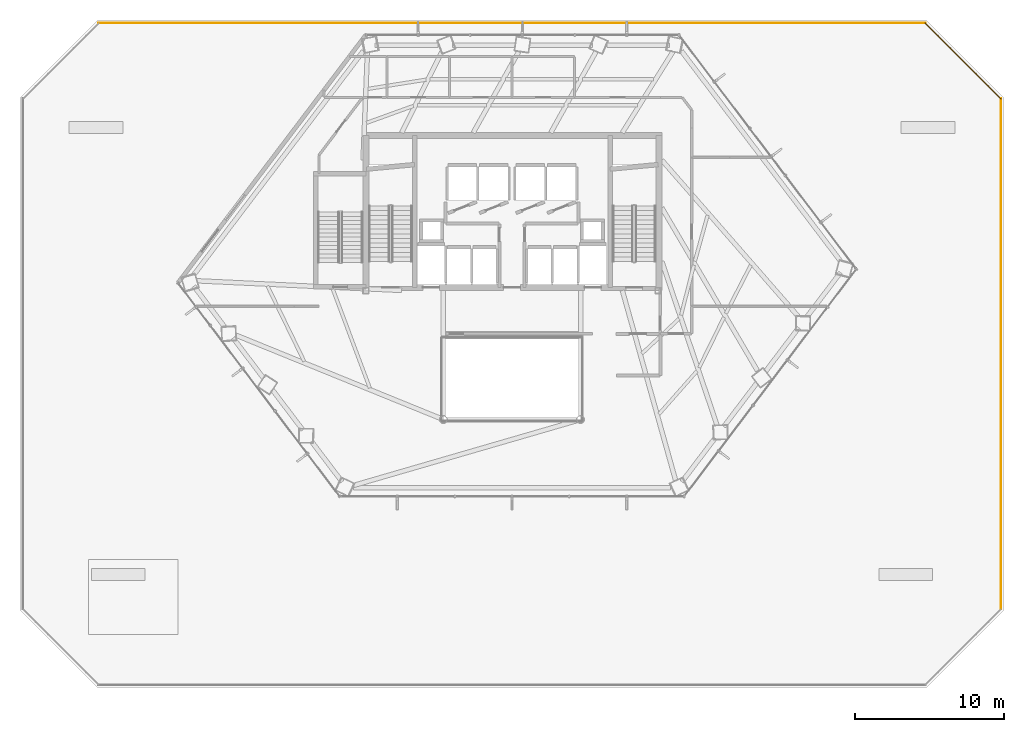
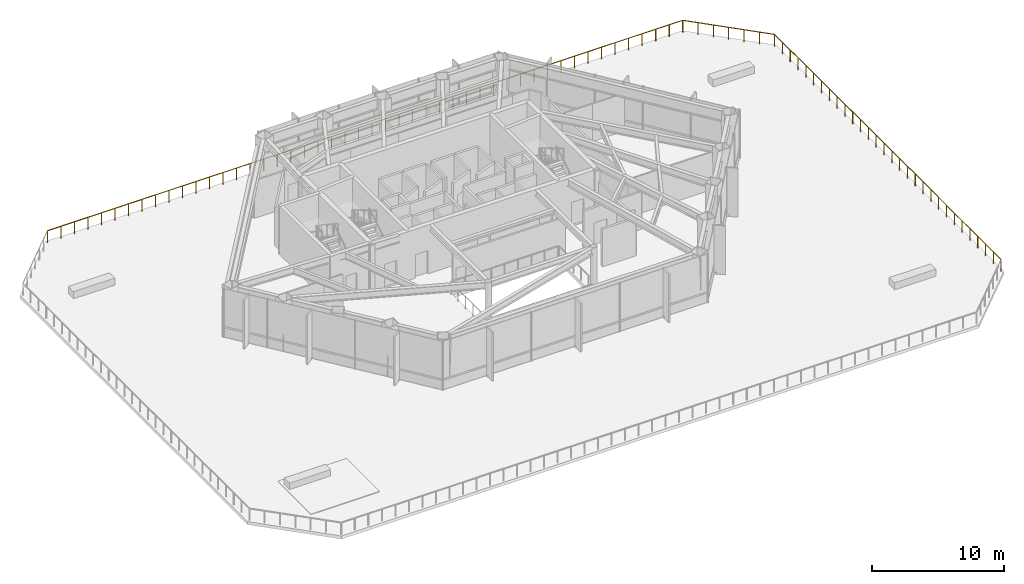
# One storey, part 30 of 30: 3 railings.
"""IFC4 building model written with IfcOpenShell, lengths in metres."""

from ifc_helpers import new_model, si_unit, direction, frame, origin, origin_2d, place, context, subcontext, project, spatial, circle, extrude, material, type_object, element, save


model = new_model("IFC4")

# Units and contexts
model_context = context("Model", 3, precision=1e-05, world=origin(), true_north=direction((0.0, 1.0)))
body_context = subcontext(model_context, "Body", "Model", "MODEL_VIEW")
ifc_project = project(units=[si_unit("LENGTHUNIT", "METRE"), si_unit("AREAUNIT", "SQUARE_METRE"), si_unit("VOLUMEUNIT", "CUBIC_METRE"), si_unit("PLANEANGLEUNIT", "RADIAN"), si_unit("MASSUNIT", "GRAM", prefix="KILO")], contexts=[model_context])

# Site, building, storey
site_placement = place(None, origin())
site = spatial("IfcSite", under=ifc_project, at=site_placement, CompositionType="ELEMENT")
building_placement = place(site_placement, origin())
building = spatial("IfcBuilding", under=site, at=building_placement, Name="Zarrinselat Tower", CompositionType="ELEMENT")
storey_placement = place(building_placement, frame((0.0, 0.0, 22.780029296875)))
storey = spatial("IfcBuildingStorey", under=building, at=storey_placement, Name="L05", CompositionType="ELEMENT", Elevation=22.780029296875)

# Railings
ifc_material = material(Name="Steel S355J2", Category="steel")
railing_type = type_object("IfcRailingType", Name="RLG-TERR-GUARD", PredefinedType="GUARDRAIL", material=ifc_material)
railing_1_placement = place(storey_placement, frame((10.682861328125, 51.0, 0.0)))
element("IfcRailing", 1, at=railing_1_placement, inside=storey, type_object=railing_type, Name="L05 Chahar-Bagh Raised Garden Guardrail 4-1", PredefinedType="GUARDRAIL", context=body_context, shape_type="SweptSolid", body=[
    extrude(circle(Radius=0.02392578125, at=origin_2d()), frame((0.0, 0.0, 1.09619140625), z_axis=(1.0, 0.0, 0.0), x_axis=(0.0, 1.0, 0.0)), (0.0, 0.0, 1.0), 55.434326171875),
    extrude(circle(Radius=0.02099609375, at=origin_2d()), origin(), (0.0, 0.0, 1.0), 1.070068359375),
    extrude(circle(Radius=0.02099609375, at=origin_2d()), frame((1.179443359375, 0.0, 0.0)), (0.0, 0.0, 1.0), 1.070068359375),
    extrude(circle(Radius=0.02099609375, at=origin_2d()), frame((2.35888671875, 0.0, 0.0)), (0.0, 0.0, 1.0), 1.070068359375),
    extrude(circle(Radius=0.02099609375, at=origin_2d()), frame((3.538330078125, 0.0, 0.0)), (0.0, 0.0, 1.0), 1.070068359375),
    extrude(circle(Radius=0.02099609375, at=origin_2d()), frame((4.7177734375, 0.0, 0.0)), (0.0, 0.0, 1.0), 1.070068359375),
    extrude(circle(Radius=0.02099609375, at=origin_2d()), frame((5.897216796875, 0.0, 0.0)), (0.0, 0.0, 1.0), 1.070068359375),
    extrude(circle(Radius=0.02099609375, at=origin_2d()), frame((7.07666015625, 0.0, 0.0)), (0.0, 0.0, 1.0), 1.070068359375),
    extrude(circle(Radius=0.02099609375, at=origin_2d()), frame((8.256103515625, 0.0, 0.0)), (0.0, 0.0, 1.0), 1.070068359375),
    extrude(circle(Radius=0.02099609375, at=origin_2d()), frame((9.435546875, 0.0, 0.0)), (0.0, 0.0, 1.0), 1.070068359375),
    extrude(circle(Radius=0.02099609375, at=origin_2d()), frame((10.614990234375, 0.0, 0.0)), (0.0, 0.0, 1.0), 1.070068359375),
    extrude(circle(Radius=0.02099609375, at=origin_2d()), frame((11.79443359375, 0.0, 0.0)), (0.0, 0.0, 1.0), 1.070068359375),
    extrude(circle(Radius=0.02099609375, at=origin_2d()), frame((12.973876953125, 0.0, 0.0)), (0.0, 0.0, 1.0), 1.070068359375),
    extrude(circle(Radius=0.02099609375, at=origin_2d()), frame((14.153564453125, 0.0, 0.0)), (0.0, 0.0, 1.0), 1.070068359375),
    extrude(circle(Radius=0.02099609375, at=origin_2d()), frame((15.3330078125, 0.0, 0.0)), (0.0, 0.0, 1.0), 1.070068359375),
    extrude(circle(Radius=0.02099609375, at=origin_2d()), frame((16.512451171875, 0.0, 0.0)), (0.0, 0.0, 1.0), 1.070068359375),
    extrude(circle(Radius=0.02099609375, at=origin_2d()), frame((17.69189453125, 0.0, 0.0)), (0.0, 0.0, 1.0), 1.070068359375),
    extrude(circle(Radius=0.02099609375, at=origin_2d()), frame((18.871337890625, 0.0, 0.0)), (0.0, 0.0, 1.0), 1.070068359375),
    extrude(circle(Radius=0.02099609375, at=origin_2d()), frame((20.05078125, 0.0, 0.0)), (0.0, 0.0, 1.0), 1.070068359375),
    extrude(circle(Radius=0.02099609375, at=origin_2d()), frame((21.230224609375, 0.0, 0.0)), (0.0, 0.0, 1.0), 1.070068359375),
    extrude(circle(Radius=0.02099609375, at=origin_2d()), frame((22.40966796875, 0.0, 0.0)), (0.0, 0.0, 1.0), 1.070068359375),
    extrude(circle(Radius=0.02099609375, at=origin_2d()), frame((23.589111328125, 0.0, 0.0)), (0.0, 0.0, 1.0), 1.070068359375),
    extrude(circle(Radius=0.02099609375, at=origin_2d()), frame((24.7685546875, 0.0, 0.0)), (0.0, 0.0, 1.0), 1.070068359375),
    extrude(circle(Radius=0.02099609375, at=origin_2d()), frame((25.947998046875, 0.0, 0.0)), (0.0, 0.0, 1.0), 1.070068359375),
    extrude(circle(Radius=0.02099609375, at=origin_2d()), frame((27.12744140625, 0.0, 0.0)), (0.0, 0.0, 1.0), 1.070068359375),
    extrude(circle(Radius=0.02099609375, at=origin_2d()), frame((28.306884765625, 0.0, 0.0)), (0.0, 0.0, 1.0), 1.070068359375),
    extrude(circle(Radius=0.02099609375, at=origin_2d()), frame((29.486328125, 0.0, 0.0)), (0.0, 0.0, 1.0), 1.070068359375),
    extrude(circle(Radius=0.02099609375, at=origin_2d()), frame((30.665771484375, 0.0, 0.0)), (0.0, 0.0, 1.0), 1.070068359375),
    extrude(circle(Radius=0.02099609375, at=origin_2d()), frame((31.84521484375, 0.0, 0.0)), (0.0, 0.0, 1.0), 1.070068359375),
    extrude(circle(Radius=0.02099609375, at=origin_2d()), frame((33.024658203125, 0.0, 0.0)), (0.0, 0.0, 1.0), 1.070068359375),
    extrude(circle(Radius=0.02099609375, at=origin_2d()), frame((34.2041015625, 0.0, 0.0)), (0.0, 0.0, 1.0), 1.070068359375),
    extrude(circle(Radius=0.02099609375, at=origin_2d()), frame((35.383544921875, 0.0, 0.0)), (0.0, 0.0, 1.0), 1.070068359375),
    extrude(circle(Radius=0.02099609375, at=origin_2d()), frame((36.56298828125, 0.0, 0.0)), (0.0, 0.0, 1.0), 1.070068359375),
    extrude(circle(Radius=0.02099609375, at=origin_2d()), frame((37.742431640625, 0.0, 0.0)), (0.0, 0.0, 1.0), 1.070068359375),
    extrude(circle(Radius=0.02099609375, at=origin_2d()), frame((38.921875, 0.0, 0.0)), (0.0, 0.0, 1.0), 1.070068359375),
    extrude(circle(Radius=0.02099609375, at=origin_2d()), frame((40.101318359375, 0.0, 0.0)), (0.0, 0.0, 1.0), 1.070068359375),
    extrude(circle(Radius=0.02099609375, at=origin_2d()), frame((41.28076171875, 0.0, 0.0)), (0.0, 0.0, 1.0), 1.070068359375),
    extrude(circle(Radius=0.02099609375, at=origin_2d()), frame((42.46044921875, 0.0, 0.0)), (0.0, 0.0, 1.0), 1.070068359375),
    extrude(circle(Radius=0.02099609375, at=origin_2d()), frame((43.639892578125, 0.0, 0.0)), (0.0, 0.0, 1.0), 1.070068359375),
    extrude(circle(Radius=0.02099609375, at=origin_2d()), frame((44.8193359375, 0.0, 0.0)), (0.0, 0.0, 1.0), 1.070068359375),
    extrude(circle(Radius=0.02099609375, at=origin_2d()), frame((45.998779296875, 0.0, 0.0)), (0.0, 0.0, 1.0), 1.070068359375),
    extrude(circle(Radius=0.02099609375, at=origin_2d()), frame((47.17822265625, 0.0, 0.0)), (0.0, 0.0, 1.0), 1.070068359375),
    extrude(circle(Radius=0.02099609375, at=origin_2d()), frame((48.357666015625, 0.0, 0.0)), (0.0, 0.0, 1.0), 1.070068359375),
    extrude(circle(Radius=0.02099609375, at=origin_2d()), frame((49.537109375, 0.0, 0.0)), (0.0, 0.0, 1.0), 1.070068359375),
    extrude(circle(Radius=0.02099609375, at=origin_2d()), frame((50.716552734375, 0.0, 0.0)), (0.0, 0.0, 1.0), 1.070068359375),
    extrude(circle(Radius=0.02099609375, at=origin_2d()), frame((51.89599609375, 0.0, 0.0)), (0.0, 0.0, 1.0), 1.070068359375),
    extrude(circle(Radius=0.02099609375, at=origin_2d()), frame((53.075439453125, 0.0, 0.0)), (0.0, 0.0, 1.0), 1.070068359375),
    extrude(circle(Radius=0.02099609375, at=origin_2d()), frame((54.2548828125, 0.0, 0.0)), (0.0, 0.0, 1.0), 1.070068359375),
    extrude(circle(Radius=0.02099609375, at=origin_2d()), frame((55.434326171875, 0.0, 0.0)), (0.0, 0.0, 1.0), 1.070068359375),
])
railing_2_placement = place(storey_placement, frame((66.1171875, 51.0, 0.0)))
element("IfcRailing", 2, at=railing_2_placement, inside=storey, type_object=railing_type, Name="L05 Chahar-Bagh Raised Garden Guardrail 5-1", PredefinedType="GUARDRAIL", context=body_context, shape_type="SweptSolid", body=[
    extrude(circle(Radius=0.02392578125, at=origin_2d()), frame((0.0, 0.0, 1.09619140625), z_axis=(0.707106781187, -0.707106781187, 0.0), x_axis=(0.707106781187, 0.707106781187, 0.0)), (0.0, 0.0, 1.0), 7.188232421875),
    extrude(circle(Radius=0.02099609375, at=origin_2d()), origin(), (0.0, 0.0, 1.0), 1.070068359375),
    extrude(circle(Radius=0.02099609375, at=origin_2d()), frame((0.84716796875, -0.84716796875, 0.0)), (0.0, 0.0, 1.0), 1.070068359375),
    extrude(circle(Radius=0.02099609375, at=origin_2d()), frame((1.6943359375, -1.6943359375, 0.0)), (0.0, 0.0, 1.0), 1.070068359375),
    extrude(circle(Radius=0.02099609375, at=origin_2d()), frame((2.54150390625, -2.54150390625, 0.0)), (0.0, 0.0, 1.0), 1.070068359375),
    extrude(circle(Radius=0.02099609375, at=origin_2d()), frame((3.388427734375, -3.388427734375, 0.0)), (0.0, 0.0, 1.0), 1.070068359375),
    extrude(circle(Radius=0.02099609375, at=origin_2d()), frame((4.235595703125, -4.235595703125, 0.0)), (0.0, 0.0, 1.0), 1.070068359375),
    extrude(circle(Radius=0.02099609375, at=origin_2d()), frame((5.082763671875, -5.082763671875, 0.0)), (0.0, 0.0, 1.0), 1.070068359375),
])
railing_3_placement = place(storey_placement, frame((71.199951171875, 45.917236328125, 0.0)))
element("IfcRailing", 3, at=railing_3_placement, inside=storey, type_object=railing_type, Name="L05 Chahar-Bagh Raised Garden Guardrail 6-1", PredefinedType="GUARDRAIL", context=body_context, shape_type="SweptSolid", body=[
    extrude(circle(Radius=0.02392578125, at=origin_2d()), frame((0.0, 0.0, 1.09619140625), z_axis=(0.0, -1.0, 0.0), x_axis=(1.0, 0.0, 0.0)), (0.0, 0.0, 1.0), 34.234375),
    extrude(circle(Radius=0.02099609375, at=origin_2d()), origin(), (0.0, 0.0, 1.0), 1.070068359375),
    extrude(circle(Radius=0.02099609375, at=origin_2d()), frame((0.0, -1.180419921875, 0.0)), (0.0, 0.0, 1.0), 1.070068359375),
    extrude(circle(Radius=0.02099609375, at=origin_2d()), frame((0.0, -2.361083984375, 0.0)), (0.0, 0.0, 1.0), 1.070068359375),
    extrude(circle(Radius=0.02099609375, at=origin_2d()), frame((0.0, -3.54150390625, 0.0)), (0.0, 0.0, 1.0), 1.070068359375),
    extrude(circle(Radius=0.02099609375, at=origin_2d()), frame((0.0, -4.721923828125, 0.0)), (0.0, 0.0, 1.0), 1.070068359375),
    extrude(circle(Radius=0.02099609375, at=origin_2d()), frame((0.0, -5.902587890625, 0.0)), (0.0, 0.0, 1.0), 1.070068359375),
    extrude(circle(Radius=0.02099609375, at=origin_2d()), frame((0.0, -7.0830078125, 0.0)), (0.0, 0.0, 1.0), 1.070068359375),
    extrude(circle(Radius=0.02099609375, at=origin_2d()), frame((0.0, -8.263427734375, 0.0)), (0.0, 0.0, 1.0), 1.070068359375),
    extrude(circle(Radius=0.02099609375, at=origin_2d()), frame((0.0, -9.44384765625, 0.0)), (0.0, 0.0, 1.0), 1.070068359375),
    extrude(circle(Radius=0.02099609375, at=origin_2d()), frame((0.0, -10.62451171875, 0.0)), (0.0, 0.0, 1.0), 1.070068359375),
    extrude(circle(Radius=0.02099609375, at=origin_2d()), frame((0.0, -11.804931640625, 0.0)), (0.0, 0.0, 1.0), 1.070068359375),
    extrude(circle(Radius=0.02099609375, at=origin_2d()), frame((0.0, -12.9853515625, 0.0)), (0.0, 0.0, 1.0), 1.070068359375),
    extrude(circle(Radius=0.02099609375, at=origin_2d()), frame((0.0, -14.166015625, 0.0)), (0.0, 0.0, 1.0), 1.070068359375),
    extrude(circle(Radius=0.02099609375, at=origin_2d()), frame((0.0, -15.346435546875, 0.0)), (0.0, 0.0, 1.0), 1.070068359375),
    extrude(circle(Radius=0.02099609375, at=origin_2d()), frame((0.0, -16.52685546875, 0.0)), (0.0, 0.0, 1.0), 1.070068359375),
    extrude(circle(Radius=0.02099609375, at=origin_2d()), frame((0.0, -17.70751953125, 0.0)), (0.0, 0.0, 1.0), 1.070068359375),
    extrude(circle(Radius=0.02099609375, at=origin_2d()), frame((0.0, -18.887939453125, 0.0)), (0.0, 0.0, 1.0), 1.070068359375),
    extrude(circle(Radius=0.02099609375, at=origin_2d()), frame((0.0, -20.068359375, 0.0)), (0.0, 0.0, 1.0), 1.070068359375),
    extrude(circle(Radius=0.02099609375, at=origin_2d()), frame((0.0, -21.2490234375, 0.0)), (0.0, 0.0, 1.0), 1.070068359375),
    extrude(circle(Radius=0.02099609375, at=origin_2d()), frame((0.0, -22.429443359375, 0.0)), (0.0, 0.0, 1.0), 1.070068359375),
    extrude(circle(Radius=0.02099609375, at=origin_2d()), frame((0.0, -23.60986328125, 0.0)), (0.0, 0.0, 1.0), 1.070068359375),
    extrude(circle(Radius=0.02099609375, at=origin_2d()), frame((0.0, -24.79052734375, 0.0)), (0.0, 0.0, 1.0), 1.070068359375),
    extrude(circle(Radius=0.02099609375, at=origin_2d()), frame((0.0, -25.970947265625, 0.0)), (0.0, 0.0, 1.0), 1.070068359375),
    extrude(circle(Radius=0.02099609375, at=origin_2d()), frame((0.0, -27.1513671875, 0.0)), (0.0, 0.0, 1.0), 1.070068359375),
    extrude(circle(Radius=0.02099609375, at=origin_2d()), frame((0.0, -28.331787109375, 0.0)), (0.0, 0.0, 1.0), 1.070068359375),
    extrude(circle(Radius=0.02099609375, at=origin_2d()), frame((0.0, -29.512451171875, 0.0)), (0.0, 0.0, 1.0), 1.070068359375),
    extrude(circle(Radius=0.02099609375, at=origin_2d()), frame((0.0, -30.69287109375, 0.0)), (0.0, 0.0, 1.0), 1.070068359375),
    extrude(circle(Radius=0.02099609375, at=origin_2d()), frame((0.0, -31.873291015625, 0.0)), (0.0, 0.0, 1.0), 1.070068359375),
    extrude(circle(Radius=0.02099609375, at=origin_2d()), frame((0.0, -33.053955078125, 0.0)), (0.0, 0.0, 1.0), 1.070068359375),
    extrude(circle(Radius=0.02099609375, at=origin_2d()), frame((0.0, -34.234375, 0.0)), (0.0, 0.0, 1.0), 1.070068359375),
])

save(model, "model.ifc")
